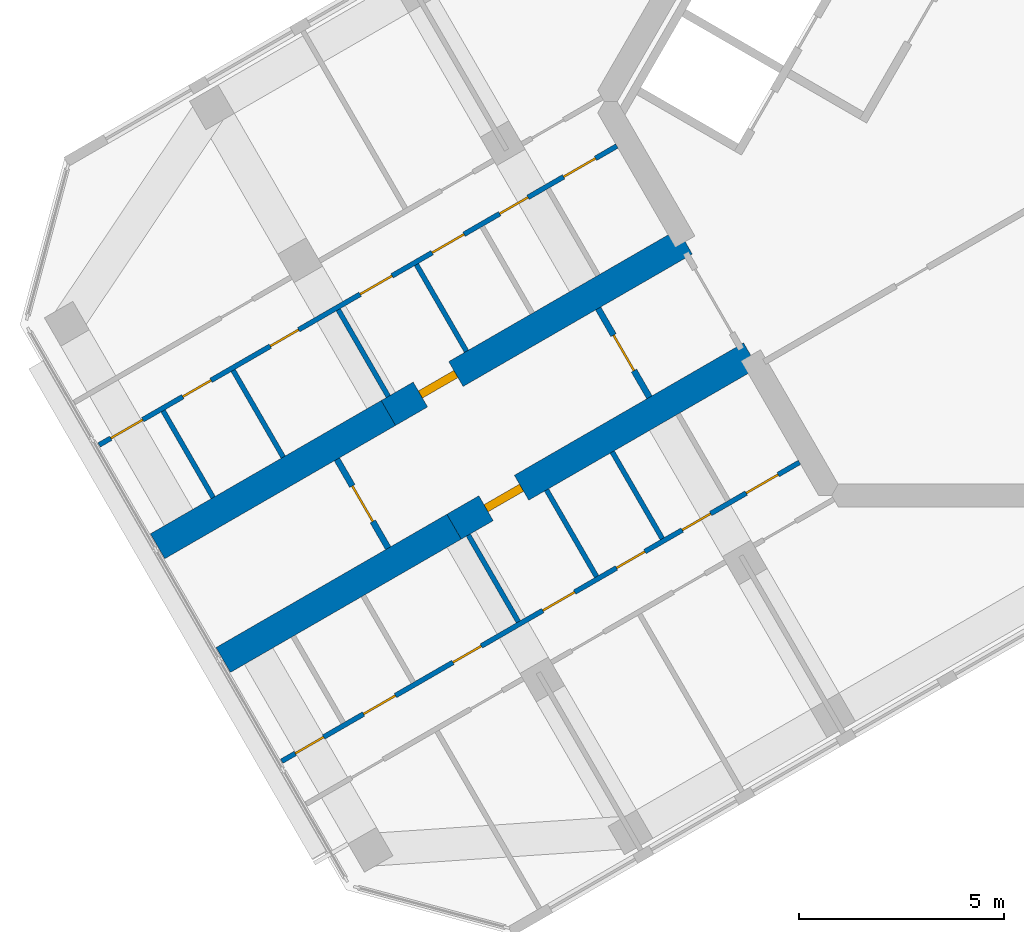
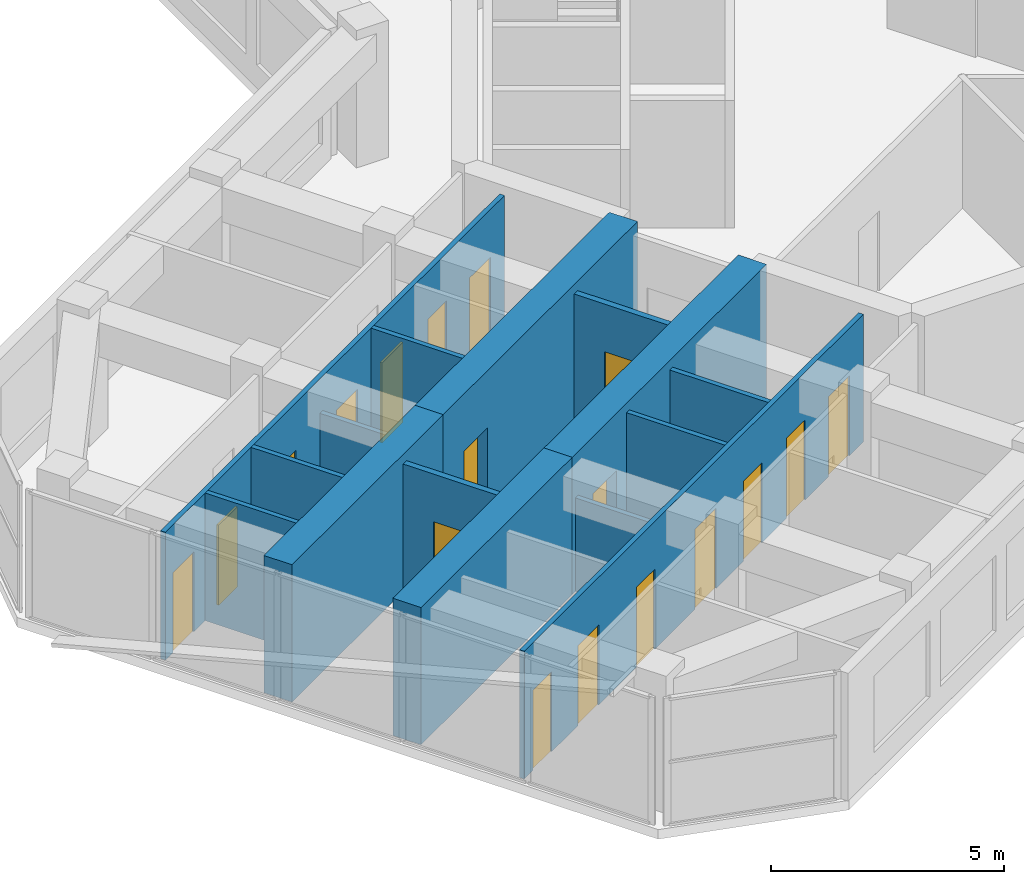
# One storey, part 7 of 14: 18 doors, 15 walls, 18 openings.
"""IFC4 building model written with IfcOpenShell, lengths in metres."""

from ifc_helpers import new_model, si_unit, direction, frame, frame_2d, origin, place, context, subcontext, project, spatial, rectangle, extrude, material, layer, layer_set, type_object, element, fill, save


model = new_model("IFC4")

# Units and contexts
model_context = context("Model", 3, precision=1e-05, world=origin(), true_north=direction((0.0, 1.0)))
body_context = subcontext(model_context, "Body", "Model", "MODEL_VIEW")
ifc_project = project(units=[si_unit("LENGTHUNIT", "METRE"), si_unit("AREAUNIT", "SQUARE_METRE"), si_unit("VOLUMEUNIT", "CUBIC_METRE"), si_unit("PLANEANGLEUNIT", "RADIAN"), si_unit("MASSUNIT", "GRAM", prefix="KILO")], contexts=[model_context])

# Site, building, storey
site_placement = place(None, origin())
site = spatial("IfcSite", under=ifc_project, at=site_placement, CompositionType="ELEMENT")
building_placement = place(site_placement, origin())
building = spatial("IfcBuilding", under=site, at=building_placement, Name="Kosmar Iwan School Tower", CompositionType="ELEMENT")
storey_placement = place(building_placement, frame((0.0, 0.0, 271.0)))
storey = spatial("IfcBuildingStorey", under=building, at=storey_placement, Name="L68", CompositionType="ELEMENT", Elevation=271.0)

# Wall, opening, door
ifc_material_1 = material(Name="Concrete C50/60", Category="concrete")
ifc_layer_1 = layer(ifc_material_1, 0.699951171875)
ifc_layer_set_1 = layer_set([ifc_layer_1], Name="Corridor buttress wall 700")
wall_type_1 = type_object("IfcWallType", Name="Corridor buttress wall 700", PredefinedType="SHEAR", material=ifc_layer_set_1)
wall_1_placement = place(storey_placement, frame((-7.513916015625, -6.185546875, 0.0), z_axis=(0.0, 0.0, 1.0), x_axis=(-0.866019549707, -0.500010139422, 0.0)))
wall_1 = element("IfcWall", 1, at=wall_1_placement, inside=storey, type_object=wall_type_1, Name="Corridor wall BL", PredefinedType="SHEAR", context=body_context, shape_type="SweptSolid", body=[
    extrude(rectangle(XDim=8.349853515625, YDim=0.699951171875, at=frame_2d((4.1748046875, 0.0))), origin(), (0.0, 0.0, 1.0), 3.60009765625),
])
opening_1_placement = place(wall_1_placement, frame((6.449951171875, 0.0, 0.0)))
opening_1 = element("IfcOpeningElement", 2, at=opening_1_placement, cuts=wall_1, Name="Opening D1", PredefinedType="OPENING", context=body_context, shape_type="SweptSolid", body=[
    extrude(rectangle(XDim=1.0, YDim=2.10009765625, at=frame_2d((0.5, 1.050048828125))), frame((0.0, 0.362060546875, 0.0), z_axis=(0.0, -1.0, 0.0), x_axis=(1.0, 0.0, 0.0)), (0.0, 0.0, 1.0), 0.723876953125),
])
ifc_material_2 = material(Name="Timber fire door in steel frame", Category="steel")
door_type_1 = type_object("IfcDoorType", Name="Flat entrance door 1000x2100", OperationType="SINGLE_SWING_LEFT", PredefinedType="DOOR", material=ifc_material_2)
door_1_placement = place(opening_1_placement, origin())
door_1 = element("IfcDoor", 3, at=door_1_placement, inside=storey, type_object=door_type_1, Name="Flat L68-BL1 entrance door", OperationType="SINGLE_SWING_LEFT", OverallHeight=2.10009765625, OverallWidth=1.0, PredefinedType="DOOR", context=body_context, shape_type="SweptSolid", body=[
    extrude(rectangle(XDim=1.0, YDim=2.10009765625, at=frame_2d((0.5, 1.050048828125))), frame((0.0, 0.10009765625, 0.0), z_axis=(0.0, -1.0, 0.0), x_axis=(1.0, 0.0, 0.0)), (0.0, 0.0, 1.0), 0.199951171875),
])
fill(opening_1, door_1)

# Wall
wall_2_placement = place(storey_placement, frame((-14.7451171875, -10.360595703125, 0.0), z_axis=(0.0, 0.0, 1.0), x_axis=(-0.866027848477, -0.499995765644, 0.0)))
element("IfcWall", 4, at=wall_2_placement, inside=storey, type_object=wall_type_1, Name="Corridor wall BL bay 2", PredefinedType="SHEAR", context=body_context, shape_type="SweptSolid", body=[
    extrude(rectangle(XDim=6.4951171875, YDim=0.699951171875, at=frame_2d((3.24755859375, 0.0))), origin(), (0.0, 0.0, 1.0), 3.60009765625),
])

# Wall, opening, door
wall_3_placement = place(storey_placement, frame((-9.11376953125, -3.414306640625, 0.0), z_axis=(0.0, 0.0, 1.0), x_axis=(-0.866026859388, -0.499997478812, 0.0)))
wall_3 = element("IfcWall", 5, at=wall_3_placement, inside=storey, type_object=wall_type_1, Name="Corridor wall BR", PredefinedType="SHEAR", context=body_context, shape_type="SweptSolid", body=[
    extrude(rectangle(XDim=8.35009765625, YDim=0.699951171875, at=frame_2d((4.175048828125, 0.0))), origin(), (0.0, 0.0, 1.0), 3.60009765625),
])
opening_2_placement = place(wall_3_placement, frame((6.449951171875, 0.0, 0.0)))
opening_2 = element("IfcOpeningElement", 6, at=opening_2_placement, cuts=wall_3, Name="Opening D1", PredefinedType="OPENING", context=body_context, shape_type="SweptSolid", body=[
    extrude(rectangle(XDim=1.0, YDim=2.10009765625, at=frame_2d((0.5, 1.050048828125))), frame((0.0, 0.362060546875, 0.0), z_axis=(0.0, -1.0, 0.0), x_axis=(1.0, 0.0, 0.0)), (0.0, 0.0, 1.0), 0.723876953125),
])
door_2_placement = place(opening_2_placement, origin())
door_2 = element("IfcDoor", 7, at=door_2_placement, inside=storey, type_object=door_type_1, Name="Flat L68-BR1 entrance door", OperationType="SINGLE_SWING_RIGHT", OverallHeight=2.10009765625, OverallWidth=1.0, PredefinedType="DOOR", context=body_context, shape_type="SweptSolid", body=[
    extrude(rectangle(XDim=1.0, YDim=2.10009765625, at=frame_2d((0.5, 1.050048828125))), frame((0.0, 0.10009765625, 0.0), z_axis=(0.0, -1.0, 0.0), x_axis=(1.0, 0.0, 0.0)), (0.0, 0.0, 1.0), 0.199951171875),
])
fill(opening_2, door_2)

# Wall
wall_4_placement = place(storey_placement, frame((-16.34521484375, -7.58935546875, 0.0), z_axis=(0.0, 0.0, 1.0), x_axis=(-0.866018451174, -0.500012042081, 0.0)))
element("IfcWall", 8, at=wall_4_placement, inside=storey, type_object=wall_type_1, Name="Corridor wall BR bay 2", PredefinedType="SHEAR", context=body_context, shape_type="SweptSolid", body=[
    extrude(rectangle(XDim=6.494873046875, YDim=0.699951171875, at=frame_2d((3.24755859375, 0.0))), origin(), (0.0, 0.0, 1.0), 3.60009765625),
])

# Wall, opening, door
ifc_material_3 = material(Name="Gypsum board on steel studs, fire-rated", Category="steel")
ifc_layer_2 = layer(ifc_material_3, 0.14990234375)
ifc_layer_set_2 = layer_set([ifc_layer_2], Name="Corridor end wall 150")
wall_type_2 = type_object("IfcWallType", Name="Corridor end wall 150", PredefinedType="PARTITIONING", material=ifc_layer_set_2)
wall_5_placement = place(storey_placement, frame((-17.59912109375, -8.717529296875, 0.0), z_axis=(0.0, 0.0, 1.0), x_axis=(0.500004234368, -0.866022959057, 0.0)))
wall_5 = element("IfcWall", 9, at=wall_5_placement, inside=storey, type_object=wall_type_2, Name="Partition L68-B-CE", PredefinedType="PARTITIONING", context=body_context, shape_type="SweptSolid", body=[
    extrude(rectangle(XDim=2.5, YDim=0.14990234375, at=frame_2d((1.25, 0.0))), origin(), (0.0, 0.0, 1.0), 3.35009765625),
])
opening_3_placement = place(wall_5_placement, frame((0.75, 0.0, 0.0)))
opening_3 = element("IfcOpeningElement", 10, at=opening_3_placement, cuts=wall_5, Name="Opening D13", PredefinedType="OPENING", context=body_context, shape_type="SweptSolid", body=[
    extrude(rectangle(XDim=1.0, YDim=2.10009765625, at=frame_2d((0.5, 1.050048828125))), frame((0.0, 0.0869140625, 0.0), z_axis=(0.0, -1.0, 0.0), x_axis=(1.0, 0.0, 0.0)), (0.0, 0.0, 1.0), 0.173828125),
])
ifc_material_4 = material(Name="Timber fire door with vision panel", Category="wood")
door_type_2 = type_object("IfcDoorType", Name="Corridor end door 1000x2100", OperationType="SINGLE_SWING_LEFT", PredefinedType="DOOR", material=ifc_material_4)
door_3_placement = place(opening_3_placement, origin())
door_3 = element("IfcDoor", 11, at=door_3_placement, inside=storey, type_object=door_type_2, Name="Prayer room door L68-B", OperationType="SINGLE_SWING_LEFT", OverallHeight=2.10009765625, OverallWidth=1.0, PredefinedType="DOOR", context=body_context, shape_type="SweptSolid", body=[
    extrude(rectangle(XDim=1.0, YDim=2.10009765625, at=frame_2d((0.5, 1.050048828125))), frame((0.0, 0.02490234375, 0.0), z_axis=(0.0, -1.0, 0.0), x_axis=(1.0, 0.0, 0.0)), (0.0, 0.0, 1.0), 0.050048828125),
])
fill(opening_3, door_3)

wall_6_placement = place(storey_placement, frame((-11.23388671875, -5.04248046875, 0.0), z_axis=(0.0, 0.0, 1.0), x_axis=(0.500004234368, -0.866022959057, 0.0)))
wall_6 = element("IfcWall", 12, at=wall_6_placement, inside=storey, type_object=wall_type_2, Name="Partition L68-B-HW", PredefinedType="PARTITIONING", context=body_context, shape_type="SweptSolid", body=[
    extrude(rectangle(XDim=2.5, YDim=0.14990234375, at=frame_2d((1.25, 0.0))), origin(), (0.0, 0.0, 1.0), 3.35009765625),
])
opening_4_placement = place(wall_6_placement, frame((0.75, 0.0, 0.0)))
opening_4 = element("IfcOpeningElement", 13, at=opening_4_placement, cuts=wall_6, Name="Opening D13", PredefinedType="OPENING", context=body_context, shape_type="SweptSolid", body=[
    extrude(rectangle(XDim=1.0, YDim=2.10009765625, at=frame_2d((0.5, 1.050048828125))), frame((0.0, 0.0869140625, 0.0), z_axis=(0.0, -1.0, 0.0), x_axis=(1.0, 0.0, 0.0)), (0.0, 0.0, 1.0), 0.173828125),
])
door_4_placement = place(opening_4_placement, origin())
door_4 = element("IfcDoor", 14, at=door_4_placement, inside=storey, type_object=door_type_2, Name="Entrance door L68-B", OperationType="SINGLE_SWING_RIGHT", OverallHeight=2.10009765625, OverallWidth=1.0, PredefinedType="DOOR", context=body_context, shape_type="SweptSolid", body=[
    extrude(rectangle(XDim=1.0, YDim=2.10009765625, at=frame_2d((0.5, 1.050048828125))), frame((0.0, 0.02490234375, 0.0), z_axis=(0.0, -1.0, 0.0), x_axis=(1.0, 0.0, 0.0)), (0.0, 0.0, 1.0), 0.050048828125),
])
fill(opening_4, door_4)

# Wall, openings, doors
ifc_material_5 = material(Name="Gypsum board on steel studs", Category="steel")
ifc_layer_3 = layer(ifc_material_5, 0.1201171875)
ifc_layer_set_3 = layer_set([ifc_layer_3], Name="Dwelling partition 120")
wall_type_3 = type_object("IfcWallType", Name="Dwelling partition 120", PredefinedType="PARTITIONING", material=ifc_layer_set_3)
wall_7_placement = place(storey_placement, frame((-6.326904296875, -8.791259765625, 0.0), z_axis=(0.0, 0.0, 1.0), x_axis=(-0.866023744513, -0.500002873931, 0.0)))
wall_7 = element("IfcWall", 15, at=wall_7_placement, inside=storey, type_object=wall_type_3, Name="Partition L68-BL1-W1", PredefinedType="PARTITIONING", context=body_context, shape_type="SweptSolid", body=[
    extrude(rectangle(XDim=14.5703125, YDim=0.1201171875, at=frame_2d((7.28515625, 0.0))), origin(), (0.0, 0.0, 1.0), 3.35009765625),
])
opening_5_placement = place(wall_7_placement, frame((0.60009765625, 0.0, 0.0)))
opening_5 = element("IfcOpeningElement", 16, at=opening_5_placement, cuts=wall_7, Name="Opening D2", PredefinedType="OPENING", context=body_context, shape_type="SweptSolid", body=[
    extrude(rectangle(XDim=0.89990234375, YDim=2.10009765625, at=frame_2d((0.449951171875, 1.050048828125))), frame((0.0, 0.072021484375, 0.0), z_axis=(0.0, -1.0, 0.0), x_axis=(1.0, 0.0, 0.0)), (0.0, 0.0, 1.0), 0.14404296875),
])
opening_6_placement = place(wall_7_placement, frame((2.5, 0.0, 0.0)))
opening_6 = element("IfcOpeningElement", 17, at=opening_6_placement, cuts=wall_7, Name="Opening D3", PredefinedType="OPENING", context=body_context, shape_type="SweptSolid", body=[
    extrude(rectangle(XDim=0.800048828125, YDim=2.10009765625, at=frame_2d((0.39990234375, 1.050048828125))), frame((0.0, 0.072021484375, 0.0), z_axis=(0.0, -1.0, 0.0), x_axis=(1.0, 0.0, 0.0)), (0.0, 0.0, 1.0), 0.14404296875),
])
opening_7_placement = place(wall_7_placement, frame((4.35009765625, 0.0, 0.0)))
opening_7 = element("IfcOpeningElement", 18, at=opening_7_placement, cuts=wall_7, Name="Opening D3", PredefinedType="OPENING", context=body_context, shape_type="SweptSolid", body=[
    extrude(rectangle(XDim=0.800048828125, YDim=2.10009765625, at=frame_2d((0.39990234375, 1.050048828125))), frame((0.0, 0.072021484375, 0.0), z_axis=(0.0, -1.0, 0.0), x_axis=(1.0, 0.0, 0.0)), (0.0, 0.0, 1.0), 0.14404296875),
])
opening_8_placement = place(wall_7_placement, frame((6.324951171875, 0.0, 0.0)))
opening_8 = element("IfcOpeningElement", 19, at=opening_8_placement, cuts=wall_7, Name="Opening D2", PredefinedType="OPENING", context=body_context, shape_type="SweptSolid", body=[
    extrude(rectangle(XDim=0.89990234375, YDim=2.10009765625, at=frame_2d((0.449951171875, 1.050048828125))), frame((0.0, 0.072021484375, 0.0), z_axis=(0.0, -1.0, 0.0), x_axis=(1.0, 0.0, 0.0)), (0.0, 0.0, 1.0), 0.14404296875),
])
opening_9_placement = place(wall_7_placement, frame((8.95361328125, 0.0, 0.0)))
opening_9 = element("IfcOpeningElement", 20, at=opening_9_placement, cuts=wall_7, Name="Opening D3", PredefinedType="OPENING", context=body_context, shape_type="SweptSolid", body=[
    extrude(rectangle(XDim=0.800048828125, YDim=2.10009765625, at=frame_2d((0.39990234375, 1.050048828125))), frame((0.0, 0.072021484375, 0.0), z_axis=(0.0, -1.0, 0.0), x_axis=(1.0, 0.0, 0.0)), (0.0, 0.0, 1.0), 0.14404296875),
])
opening_10_placement = place(wall_7_placement, frame((11.367919921875, 0.0, 0.0)))
opening_10 = element("IfcOpeningElement", 21, at=opening_10_placement, cuts=wall_7, Name="Opening D2", PredefinedType="OPENING", context=body_context, shape_type="SweptSolid", body=[
    extrude(rectangle(XDim=0.89990234375, YDim=2.10009765625, at=frame_2d((0.449951171875, 1.050048828125))), frame((0.0, 0.072021484375, 0.0), z_axis=(0.0, -1.0, 0.0), x_axis=(1.0, 0.0, 0.0)), (0.0, 0.0, 1.0), 0.14404296875),
])
opening_11_placement = place(wall_7_placement, frame((13.389404296875, 0.0, 0.0)))
opening_11 = element("IfcOpeningElement", 22, at=opening_11_placement, cuts=wall_7, Name="Opening D3", PredefinedType="OPENING", context=body_context, shape_type="SweptSolid", body=[
    extrude(rectangle(XDim=0.800048828125, YDim=2.10009765625, at=frame_2d((0.39990234375, 1.050048828125))), frame((0.0, 0.072021484375, 0.0), z_axis=(0.0, -1.0, 0.0), x_axis=(1.0, 0.0, 0.0)), (0.0, 0.0, 1.0), 0.14404296875),
])
ifc_material_6 = material(Name="Timber door in timber frame", Category="wood")
door_type_3 = type_object("IfcDoorType", Name="Internal door 900x2100", OperationType="SINGLE_SWING_LEFT", PredefinedType="DOOR", material=ifc_material_6)
door_5_placement = place(opening_5_placement, origin())
door_5 = element("IfcDoor", 23, at=door_5_placement, inside=storey, type_object=door_type_3, Name="Utility room door L68-BL1-S1", OperationType="SINGLE_SWING_LEFT", OverallHeight=2.10009765625, OverallWidth=0.89990234375, PredefinedType="DOOR", context=body_context, shape_type="SweptSolid", body=[
    extrude(rectangle(XDim=0.89990234375, YDim=2.10009765625, at=frame_2d((0.449951171875, 1.050048828125))), frame((0.0, 0.02490234375, 0.0), z_axis=(0.0, -1.0, 0.0), x_axis=(1.0, 0.0, 0.0)), (0.0, 0.0, 1.0), 0.050048828125),
])
fill(opening_5, door_5)
door_6_placement = place(opening_8_placement, origin())
door_6 = element("IfcDoor", 24, at=door_6_placement, inside=storey, type_object=door_type_3, Name="Entrance hall door L68-BL1-S4", OperationType="SINGLE_SWING_LEFT", OverallHeight=2.10009765625, OverallWidth=0.89990234375, PredefinedType="DOOR", context=body_context, shape_type="SweptSolid", body=[
    extrude(rectangle(XDim=0.89990234375, YDim=2.10009765625, at=frame_2d((0.449951171875, 1.050048828125))), frame((0.0, 0.02490234375, 0.0), z_axis=(0.0, -1.0, 0.0), x_axis=(1.0, 0.0, 0.0)), (0.0, 0.0, 1.0), 0.050048828125),
])
fill(opening_8, door_6)
door_7_placement = place(opening_10_placement, origin())
door_7 = element("IfcDoor", 25, at=door_7_placement, inside=storey, type_object=door_type_3, Name="Pantry door L68-BL1-S6", OperationType="SINGLE_SWING_RIGHT", OverallHeight=2.10009765625, OverallWidth=0.89990234375, PredefinedType="DOOR", context=body_context, shape_type="SweptSolid", body=[
    extrude(rectangle(XDim=0.89990234375, YDim=2.10009765625, at=frame_2d((0.449951171875, 1.050048828125))), frame((0.0, 0.02490234375, 0.0), z_axis=(0.0, -1.0, 0.0), x_axis=(1.0, 0.0, 0.0)), (0.0, 0.0, 1.0), 0.050048828125),
])
fill(opening_10, door_7)
ifc_material_7 = material(Name="Timber door in timber frame", Category="wood")
door_type_4 = type_object("IfcDoorType", Name="Sanitary room door 800x2100", OperationType="SINGLE_SWING_LEFT", PredefinedType="DOOR", material=ifc_material_7)
door_8_placement = place(opening_6_placement, origin())
door_8 = element("IfcDoor", 26, at=door_8_placement, inside=storey, type_object=door_type_4, Name="WC door L68-BL1-S2", OperationType="SINGLE_SWING_LEFT", OverallHeight=2.10009765625, OverallWidth=0.800048828125, PredefinedType="DOOR", context=body_context, shape_type="SweptSolid", body=[
    extrude(rectangle(XDim=0.800048828125, YDim=2.10009765625, at=frame_2d((0.39990234375, 1.050048828125))), frame((0.0, 0.02490234375, 0.0), z_axis=(0.0, -1.0, 0.0), x_axis=(1.0, 0.0, 0.0)), (0.0, 0.0, 1.0), 0.050048828125),
])
fill(opening_6, door_8)
door_9_placement = place(opening_7_placement, origin())
door_9 = element("IfcDoor", 27, at=door_9_placement, inside=storey, type_object=door_type_4, Name="Shower room door L68-BL1-S3", OperationType="SINGLE_SWING_LEFT", OverallHeight=2.10009765625, OverallWidth=0.800048828125, PredefinedType="DOOR", context=body_context, shape_type="SweptSolid", body=[
    extrude(rectangle(XDim=0.800048828125, YDim=2.10009765625, at=frame_2d((0.39990234375, 1.050048828125))), frame((0.0, 0.02490234375, 0.0), z_axis=(0.0, -1.0, 0.0), x_axis=(1.0, 0.0, 0.0)), (0.0, 0.0, 1.0), 0.050048828125),
])
fill(opening_7, door_9)
door_10_placement = place(opening_9_placement, origin())
door_10 = element("IfcDoor", 28, at=door_10_placement, inside=storey, type_object=door_type_4, Name="Bathroom door L68-BL1-S5", OperationType="SINGLE_SWING_RIGHT", OverallHeight=2.10009765625, OverallWidth=0.800048828125, PredefinedType="DOOR", context=body_context, shape_type="SweptSolid", body=[
    extrude(rectangle(XDim=0.800048828125, YDim=2.10009765625, at=frame_2d((0.39990234375, 1.050048828125))), frame((0.0, 0.02490234375, 0.0), z_axis=(0.0, -1.0, 0.0), x_axis=(1.0, 0.0, 0.0)), (0.0, 0.0, 1.0), 0.050048828125),
])
fill(opening_9, door_10)
door_11_placement = place(opening_11_placement, origin())
door_11 = element("IfcDoor", 29, at=door_11_placement, inside=storey, type_object=door_type_4, Name="Store door L68-BL1-S7", OperationType="SINGLE_SWING_RIGHT", OverallHeight=2.10009765625, OverallWidth=0.800048828125, PredefinedType="DOOR", context=body_context, shape_type="SweptSolid", body=[
    extrude(rectangle(XDim=0.800048828125, YDim=2.10009765625, at=frame_2d((0.39990234375, 1.050048828125))), frame((0.0, 0.02490234375, 0.0), z_axis=(0.0, -1.0, 0.0), x_axis=(1.0, 0.0, 0.0)), (0.0, 0.0, 1.0), 0.050048828125),
])
fill(opening_11, door_11)

# Walls
wall_8_placement = place(storey_placement, frame((-10.8896484375, -8.538818359375, 0.0), z_axis=(0.0, 0.0, 1.0), x_axis=(0.500077547548, -0.865980627057, 0.0)))
element("IfcWall", 30, at=wall_8_placement, inside=storey, type_object=wall_type_3, Name="Partition L68-BL1-Y2", PredefinedType="PARTITIONING", context=body_context, shape_type="SweptSolid", body=[
    extrude(rectangle(XDim=2.43994140625, YDim=0.1201171875, at=frame_2d((1.219970703125, 0.0))), origin(), (0.0, 0.0, 1.0), 3.35009765625),
])
wall_9_placement = place(storey_placement, frame((-12.49169921875, -9.463623046875, 0.0), z_axis=(0.0, 0.0, 1.0), x_axis=(0.499959183527, -0.866048967903, 0.0)))
element("IfcWall", 31, at=wall_9_placement, inside=storey, type_object=wall_type_3, Name="Partition L68-BL1-Y3", PredefinedType="PARTITIONING", context=body_context, shape_type="SweptSolid", body=[
    extrude(rectangle(XDim=2.440185546875, YDim=0.1201171875, at=frame_2d((1.22021484375, 0.0))), origin(), (0.0, 0.0, 1.0), 3.35009765625),
])
wall_10_placement = place(storey_placement, frame((-14.39697265625, -10.563720703125, 0.0), z_axis=(0.0, 0.0, 1.0), x_axis=(0.500002508028, -0.866023955769, 0.0)))
element("IfcWall", 32, at=wall_10_placement, inside=storey, type_object=wall_type_3, Name="Partition L68-BL1-Y4", PredefinedType="PARTITIONING", context=body_context, shape_type="SweptSolid", body=[
    extrude(rectangle(XDim=2.43994140625, YDim=0.1201171875, at=frame_2d((1.219970703125, 0.0))), origin(), (0.0, 0.0, 1.0), 2.449951171875),
])

# Wall, openings, doors
wall_11_placement = place(storey_placement, frame((-10.777099609375, -1.083740234375, 0.0), z_axis=(0.0, 0.0, 1.0), x_axis=(-0.866026811131, -0.499997562396, 0.0)))
wall_11 = element("IfcWall", 33, at=wall_11_placement, inside=storey, type_object=wall_type_3, Name="Partition L68-BR1-W1", PredefinedType="PARTITIONING", context=body_context, shape_type="SweptSolid", body=[
    extrude(rectangle(XDim=14.56982421875, YDim=0.1201171875, at=frame_2d((7.284912109375, 0.0))), origin(), (0.0, 0.0, 1.0), 3.35009765625),
])
opening_12_placement = place(wall_11_placement, frame((0.60009765625, 0.0, 0.0)))
opening_12 = element("IfcOpeningElement", 34, at=opening_12_placement, cuts=wall_11, Name="Opening D2", PredefinedType="OPENING", context=body_context, shape_type="SweptSolid", body=[
    extrude(rectangle(XDim=0.89990234375, YDim=2.10009765625, at=frame_2d((0.449951171875, 1.050048828125))), frame((0.0, 0.072021484375, 0.0), z_axis=(0.0, -1.0, 0.0), x_axis=(1.0, 0.0, 0.0)), (0.0, 0.0, 1.0), 0.14404296875),
])
opening_13_placement = place(wall_11_placement, frame((2.5, 0.0, 0.0)))
opening_13 = element("IfcOpeningElement", 35, at=opening_13_placement, cuts=wall_11, Name="Opening D3", PredefinedType="OPENING", context=body_context, shape_type="SweptSolid", body=[
    extrude(rectangle(XDim=0.800048828125, YDim=2.10009765625, at=frame_2d((0.39990234375, 1.050048828125))), frame((0.0, 0.072021484375, 0.0), z_axis=(0.0, -1.0, 0.0), x_axis=(1.0, 0.0, 0.0)), (0.0, 0.0, 1.0), 0.14404296875),
])
opening_14_placement = place(wall_11_placement, frame((4.300048828125, 0.0, 0.0)))
opening_14 = element("IfcOpeningElement", 36, at=opening_14_placement, cuts=wall_11, Name="Opening D2", PredefinedType="OPENING", context=body_context, shape_type="SweptSolid", body=[
    extrude(rectangle(XDim=0.89990234375, YDim=2.10009765625, at=frame_2d((0.449951171875, 1.050048828125))), frame((0.0, 0.072021484375, 0.0), z_axis=(0.0, -1.0, 0.0), x_axis=(1.0, 0.0, 0.0)), (0.0, 0.0, 1.0), 0.14404296875),
])
opening_15_placement = place(wall_11_placement, frame((6.324951171875, 0.0, 0.0)))
opening_15 = element("IfcOpeningElement", 37, at=opening_15_placement, cuts=wall_11, Name="Opening D2", PredefinedType="OPENING", context=body_context, shape_type="SweptSolid", body=[
    extrude(rectangle(XDim=0.89990234375, YDim=2.10009765625, at=frame_2d((0.449951171875, 1.050048828125))), frame((0.0, 0.072021484375, 0.0), z_axis=(0.0, -1.0, 0.0), x_axis=(1.0, 0.0, 0.0)), (0.0, 0.0, 1.0), 0.14404296875),
])
opening_16_placement = place(wall_11_placement, frame((8.95361328125, 0.0, 0.0)))
opening_16 = element("IfcOpeningElement", 38, at=opening_16_placement, cuts=wall_11, Name="Opening D3", PredefinedType="OPENING", context=body_context, shape_type="SweptSolid", body=[
    extrude(rectangle(XDim=0.800048828125, YDim=2.10009765625, at=frame_2d((0.39990234375, 1.050048828125))), frame((0.0, 0.072021484375, 0.0), z_axis=(0.0, -1.0, 0.0), x_axis=(1.0, 0.0, 0.0)), (0.0, 0.0, 1.0), 0.14404296875),
])
opening_17_placement = place(wall_11_placement, frame((11.41796875, 0.0, 0.0)))
opening_17 = element("IfcOpeningElement", 39, at=opening_17_placement, cuts=wall_11, Name="Opening D3", PredefinedType="OPENING", context=body_context, shape_type="SweptSolid", body=[
    extrude(rectangle(XDim=0.800048828125, YDim=2.10009765625, at=frame_2d((0.39990234375, 1.050048828125))), frame((0.0, 0.072021484375, 0.0), z_axis=(0.0, -1.0, 0.0), x_axis=(1.0, 0.0, 0.0)), (0.0, 0.0, 1.0), 0.14404296875),
])
opening_18_placement = place(wall_11_placement, frame((13.33935546875, 0.0, 0.0)))
opening_18 = element("IfcOpeningElement", 40, at=opening_18_placement, cuts=wall_11, Name="Opening D2", PredefinedType="OPENING", context=body_context, shape_type="SweptSolid", body=[
    extrude(rectangle(XDim=0.89990234375, YDim=2.10009765625, at=frame_2d((0.449951171875, 1.050048828125))), frame((0.0, 0.072021484375, 0.0), z_axis=(0.0, -1.0, 0.0), x_axis=(1.0, 0.0, 0.0)), (0.0, 0.0, 1.0), 0.14404296875),
])
door_12_placement = place(opening_12_placement, origin())
door_12 = element("IfcDoor", 41, at=door_12_placement, inside=storey, type_object=door_type_3, Name="Dressing room door L68-BR1-S1", OperationType="SINGLE_SWING_LEFT", OverallHeight=2.10009765625, OverallWidth=0.89990234375, PredefinedType="DOOR", context=body_context, shape_type="SweptSolid", body=[
    extrude(rectangle(XDim=0.89990234375, YDim=2.10009765625, at=frame_2d((0.449951171875, 1.050048828125))), frame((0.0, 0.02490234375, 0.0), z_axis=(0.0, -1.0, 0.0), x_axis=(1.0, 0.0, 0.0)), (0.0, 0.0, 1.0), 0.050048828125),
])
fill(opening_12, door_12)
door_13_placement = place(opening_14_placement, origin())
door_13 = element("IfcDoor", 42, at=door_13_placement, inside=storey, type_object=door_type_3, Name="Pantry door L68-BR1-S3", OperationType="SINGLE_SWING_LEFT", OverallHeight=2.10009765625, OverallWidth=0.89990234375, PredefinedType="DOOR", context=body_context, shape_type="SweptSolid", body=[
    extrude(rectangle(XDim=0.89990234375, YDim=2.10009765625, at=frame_2d((0.449951171875, 1.050048828125))), frame((0.0, 0.02490234375, 0.0), z_axis=(0.0, -1.0, 0.0), x_axis=(1.0, 0.0, 0.0)), (0.0, 0.0, 1.0), 0.050048828125),
])
fill(opening_14, door_13)
door_14_placement = place(opening_15_placement, origin())
door_14 = element("IfcDoor", 43, at=door_14_placement, inside=storey, type_object=door_type_3, Name="Entrance hall door L68-BR1-S4", OperationType="SINGLE_SWING_RIGHT", OverallHeight=2.10009765625, OverallWidth=0.89990234375, PredefinedType="DOOR", context=body_context, shape_type="SweptSolid", body=[
    extrude(rectangle(XDim=0.89990234375, YDim=2.10009765625, at=frame_2d((0.449951171875, 1.050048828125))), frame((0.0, 0.02490234375, 0.0), z_axis=(0.0, -1.0, 0.0), x_axis=(1.0, 0.0, 0.0)), (0.0, 0.0, 1.0), 0.050048828125),
])
fill(opening_15, door_14)
door_15_placement = place(opening_18_placement, origin())
door_15 = element("IfcDoor", 44, at=door_15_placement, inside=storey, type_object=door_type_3, Name="Utility room door L68-BR1-S7", OperationType="SINGLE_SWING_RIGHT", OverallHeight=2.10009765625, OverallWidth=0.89990234375, PredefinedType="DOOR", context=body_context, shape_type="SweptSolid", body=[
    extrude(rectangle(XDim=0.89990234375, YDim=2.10009765625, at=frame_2d((0.449951171875, 1.050048828125))), frame((0.0, 0.02490234375, 0.0), z_axis=(0.0, -1.0, 0.0), x_axis=(1.0, 0.0, 0.0)), (0.0, 0.0, 1.0), 0.050048828125),
])
fill(opening_18, door_15)
door_16_placement = place(opening_13_placement, origin())
door_16 = element("IfcDoor", 45, at=door_16_placement, inside=storey, type_object=door_type_4, Name="Store door L68-BR1-S2", OperationType="SINGLE_SWING_RIGHT", OverallHeight=2.10009765625, OverallWidth=0.800048828125, PredefinedType="DOOR", context=body_context, shape_type="SweptSolid", body=[
    extrude(rectangle(XDim=0.800048828125, YDim=2.10009765625, at=frame_2d((0.39990234375, 1.050048828125))), frame((0.0, 0.02490234375, 0.0), z_axis=(0.0, -1.0, 0.0), x_axis=(1.0, 0.0, 0.0)), (0.0, 0.0, 1.0), 0.050048828125),
])
fill(opening_13, door_16)
door_17_placement = place(opening_16_placement, origin())
door_17 = element("IfcDoor", 46, at=door_17_placement, inside=storey, type_object=door_type_4, Name="Bathroom door L68-BR1-S5", OperationType="SINGLE_SWING_LEFT", OverallHeight=2.10009765625, OverallWidth=0.800048828125, PredefinedType="DOOR", context=body_context, shape_type="SweptSolid", body=[
    extrude(rectangle(XDim=0.800048828125, YDim=2.10009765625, at=frame_2d((0.39990234375, 1.050048828125))), frame((0.0, 0.02490234375, 0.0), z_axis=(0.0, -1.0, 0.0), x_axis=(1.0, 0.0, 0.0)), (0.0, 0.0, 1.0), 0.050048828125),
])
fill(opening_16, door_17)
door_18_placement = place(opening_17_placement, origin())
door_18 = element("IfcDoor", 47, at=door_18_placement, inside=storey, type_object=door_type_4, Name="WC door L68-BR1-S6", OperationType="SINGLE_SWING_RIGHT", OverallHeight=2.10009765625, OverallWidth=0.800048828125, PredefinedType="DOOR", context=body_context, shape_type="SweptSolid", body=[
    extrude(rectangle(XDim=0.800048828125, YDim=2.10009765625, at=frame_2d((0.39990234375, 1.050048828125))), frame((0.0, 0.02490234375, 0.0), z_axis=(0.0, -1.0, 0.0), x_axis=(1.0, 0.0, 0.0)), (0.0, 0.0, 1.0), 0.050048828125),
])
fill(opening_17, door_18)

# Walls
wall_12_placement = place(storey_placement, frame((-14.441650390625, -6.086181640625, 0.0), z_axis=(0.0, 0.0, 1.0), x_axis=(-0.500002508028, 0.866023955769, 0.0)))
element("IfcWall", 48, at=wall_12_placement, inside=storey, type_object=wall_type_3, Name="Partition L68-BR1-Y3", PredefinedType="PARTITIONING", context=body_context, shape_type="SweptSolid", body=[
    extrude(rectangle(XDim=2.43994140625, YDim=0.1201171875, at=frame_2d((1.219970703125, 0.0))), origin(), (0.0, 0.0, 1.0), 3.35009765625),
])
wall_13_placement = place(storey_placement, frame((-16.346923828125, -7.186279296875, 0.0), z_axis=(0.0, 0.0, 1.0), x_axis=(-0.500002508028, 0.866023955769, 0.0)))
element("IfcWall", 49, at=wall_13_placement, inside=storey, type_object=wall_type_3, Name="Partition L68-BR1-Y4", PredefinedType="PARTITIONING", context=body_context, shape_type="SweptSolid", body=[
    extrude(rectangle(XDim=2.43994140625, YDim=0.1201171875, at=frame_2d((1.219970703125, 0.0))), origin(), (0.0, 0.0, 1.0), 2.449951171875),
])
wall_14_placement = place(storey_placement, frame((-18.907958984375, -8.664794921875, 0.0), z_axis=(0.0, 0.0, 1.0), x_axis=(-0.500002508028, 0.866023955769, 0.0)))
element("IfcWall", 50, at=wall_14_placement, inside=storey, type_object=wall_type_3, Name="Partition L68-BR1-Y5", PredefinedType="PARTITIONING", context=body_context, shape_type="SweptSolid", body=[
    extrude(rectangle(XDim=2.43994140625, YDim=0.1201171875, at=frame_2d((1.219970703125, 0.0))), origin(), (0.0, 0.0, 1.0), 3.35009765625),
])
wall_15_placement = place(storey_placement, frame((-20.615234375, -9.650634765625, 0.0), z_axis=(0.0, 0.0, 1.0), x_axis=(-0.499959183527, 0.866048967903, 0.0)))
element("IfcWall", 51, at=wall_15_placement, inside=storey, type_object=wall_type_3, Name="Partition L68-BR1-Y6", PredefinedType="PARTITIONING", context=body_context, shape_type="SweptSolid", body=[
    extrude(rectangle(XDim=2.440185546875, YDim=0.1201171875, at=frame_2d((1.22021484375, 0.0))), origin(), (0.0, 0.0, 1.0), 3.35009765625),
])

save(model, "model.ifc")
